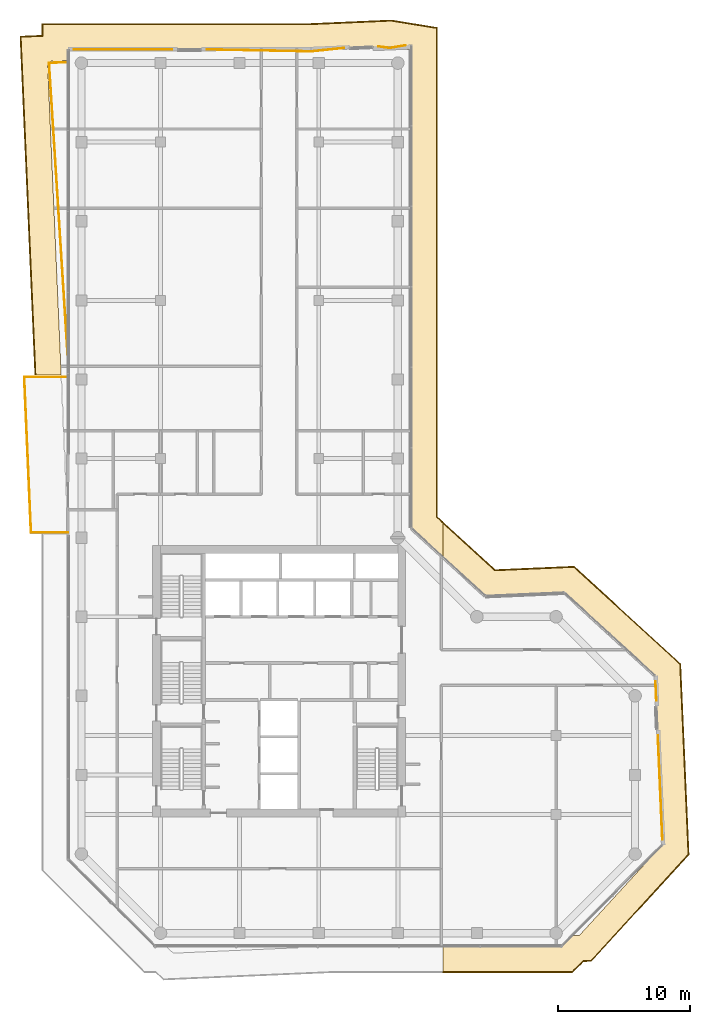
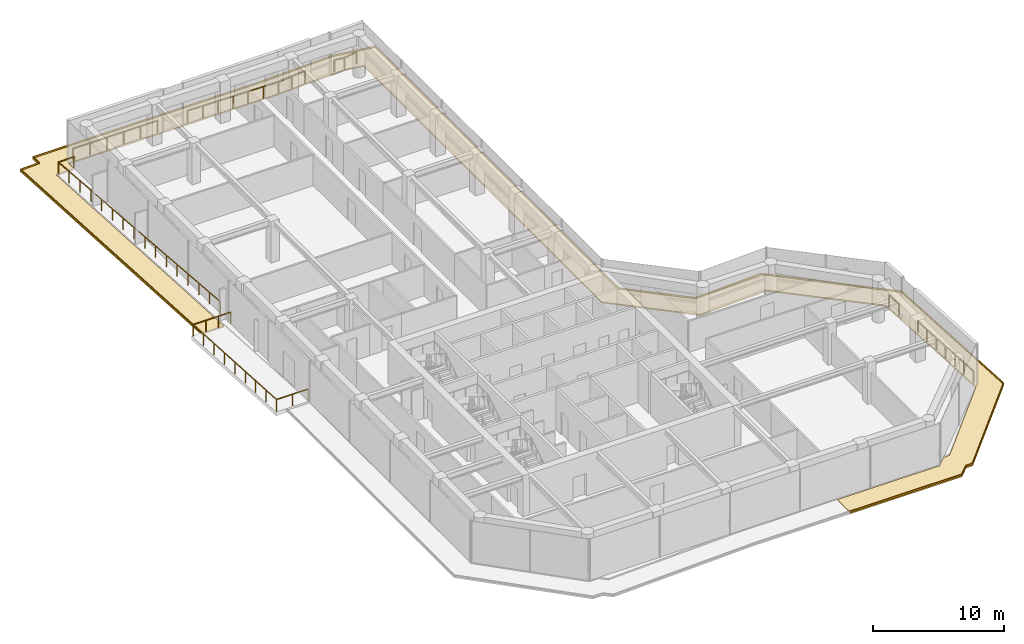
# One storey, part 21 of 21: 7 railings, 4 coverings.
"""IFC4 building model written with IfcOpenShell, lengths in metres."""

from ifc_helpers import new_model, si_unit, direction, frame, origin, origin_2d, place, context, subcontext, project, spatial, polyline, circle, outline, extrude, material, layer, layer_set, type_object, element, save


model = new_model("IFC4")

# Units and contexts
model_context = context("Model", 3, precision=1e-05, world=origin(), true_north=direction((0.0, 1.0)))
body_context = subcontext(model_context, "Body", "Model", "MODEL_VIEW")
ifc_project = project(units=[si_unit("LENGTHUNIT", "METRE"), si_unit("AREAUNIT", "SQUARE_METRE"), si_unit("VOLUMEUNIT", "CUBIC_METRE"), si_unit("PLANEANGLEUNIT", "RADIAN"), si_unit("MASSUNIT", "GRAM", prefix="KILO")], contexts=[model_context])

# Site, building, storey
site_placement = place(None, origin())
site = spatial("IfcSite", under=ifc_project, at=site_placement, CompositionType="ELEMENT")
building_placement = place(site_placement, origin())
building = spatial("IfcBuilding", under=site, at=building_placement, Name="Welwitschia Terrace Campus", CompositionType="ELEMENT")
storey_placement = place(building_placement, frame((0.0, 0.0, 180.199951171875)))
storey = spatial("IfcBuildingStorey", under=building, at=storey_placement, Name="L40", CompositionType="ELEMENT", Elevation=180.199951171875)

# Railings
ifc_material_1 = material(Name="Stainless steel grade 316", Category="steel")
railing_type = type_object("IfcRailingType", Name="Guard 1100", PredefinedType="GUARDRAIL", material=ifc_material_1)
railing_1_placement = place(storey_placement, frame((-1.030029296875, 26.392822265625, 0.0)))
element("IfcRailing", 1, at=railing_1_placement, inside=storey, type_object=railing_type, Name="Guard terrace L40:0:0.0", PredefinedType="GUARDRAIL", context=body_context, shape_type="SweptSolid", body=[
    extrude(circle(Radius=0.02392578125, at=origin_2d()), frame((0.0, 0.0, 1.076171875), z_axis=(-1.0, 0.0, 0.0), x_axis=(0.0, -1.0, 0.0)), (0.0, 0.0, 1.0), 2.78857421875),
    extrude(circle(Radius=0.02392578125, at=origin_2d()), frame((-2.78857421875, 0.0, 1.076171875), z_axis=(-0.043613933543, 0.999048459686, 0.0), x_axis=(-0.999048459686, -0.043613933543, 0.0)), (0.0, 0.0, 1.0), 11.811279296875),
    extrude(circle(Radius=0.02392578125, at=origin_2d()), frame((-3.3037109375, 11.800048828125, 1.076171875), z_axis=(1.0, 0.0, 0.0), x_axis=(0.0, 1.0, 0.0)), (0.0, 0.0, 1.0), 3.3037109375),
    extrude(circle(Radius=0.02099609375, at=origin_2d()), origin(), (0.0, 0.0, 1.0), 1.052001953125),
    extrude(circle(Radius=0.02099609375, at=origin_2d()), frame((-1.394287109375, 0.0, 0.0)), (0.0, 0.0, 1.0), 1.052001953125),
    extrude(circle(Radius=0.02099609375, at=origin_2d()), frame((-2.78857421875, 0.0, 0.0)), (0.0, 0.0, 1.0), 1.052001953125),
    extrude(circle(Radius=0.02099609375, at=origin_2d()), frame((-2.85302734375, 1.47509765625, 0.0)), (0.0, 0.0, 1.0), 1.052001953125),
    extrude(circle(Radius=0.02099609375, at=origin_2d()), frame((-2.91748046875, 2.949951171875, 0.0)), (0.0, 0.0, 1.0), 1.052001953125),
    extrude(circle(Radius=0.02099609375, at=origin_2d()), frame((-2.981689453125, 4.425048828125, 0.0)), (0.0, 0.0, 1.0), 1.052001953125),
    extrude(circle(Radius=0.02099609375, at=origin_2d()), frame((-3.046142578125, 5.89990234375, 0.0)), (0.0, 0.0, 1.0), 1.052001953125),
    extrude(circle(Radius=0.02099609375, at=origin_2d()), frame((-3.110595703125, 7.375, 0.0)), (0.0, 0.0, 1.0), 1.052001953125),
    extrude(circle(Radius=0.02099609375, at=origin_2d()), frame((-3.1748046875, 8.85009765625, 0.0)), (0.0, 0.0, 1.0), 1.052001953125),
    extrude(circle(Radius=0.02099609375, at=origin_2d()), frame((-3.2392578125, 10.324951171875, 0.0)), (0.0, 0.0, 1.0), 1.052001953125),
    extrude(circle(Radius=0.02099609375, at=origin_2d()), frame((-3.3037109375, 11.800048828125, 0.0)), (0.0, 0.0, 1.0), 1.052001953125),
    extrude(circle(Radius=0.02099609375, at=origin_2d()), frame((-2.202392578125, 11.800048828125, 0.0)), (0.0, 0.0, 1.0), 1.052001953125),
    extrude(circle(Radius=0.02099609375, at=origin_2d()), frame((-1.101318359375, 11.800048828125, 0.0)), (0.0, 0.0, 1.0), 1.052001953125),
    extrude(circle(Radius=0.02099609375, at=origin_2d()), frame((0.0, 11.800048828125, 0.0)), (0.0, 0.0, 1.0), 1.052001953125),
])
railing_2_placement = place(storey_placement, frame((-1.030029296875, 39.77490234375, 0.0)))
element("IfcRailing", 2, at=railing_2_placement, inside=storey, type_object=railing_type, Name="Guard floor edge L40.0", PredefinedType="GUARDRAIL", context=body_context, shape_type="SweptSolid", body=[
    extrude(circle(Radius=0.02392578125, at=origin_2d()), frame((0.0, 0.0, 1.076171875), z_axis=(-0.063766322322, 0.997964857166, 0.0), x_axis=(-0.997964857166, -0.063766322322, 0.0)), (0.0, 0.0, 1.0), 22.282958984375),
    extrude(circle(Radius=0.02392578125, at=origin_2d()), frame((-1.4208984375, 22.237548828125, 1.076171875), z_axis=(0.999558502186, 0.02971196235, 0.0), x_axis=(-0.02971196235, 0.999558502186, 0.0)), (0.0, 0.0, 1.0), 1.421630859375),
    extrude(circle(Radius=0.02099609375, at=origin_2d()), origin(), (0.0, 0.0, 1.0), 1.052001953125),
    extrude(circle(Radius=0.02099609375, at=origin_2d()), frame((-0.0947265625, 1.482421875, 0.0)), (0.0, 0.0, 1.0), 1.052001953125),
    extrude(circle(Radius=0.02099609375, at=origin_2d()), frame((-0.189453125, 2.965087890625, 0.0)), (0.0, 0.0, 1.0), 1.052001953125),
    extrude(circle(Radius=0.02099609375, at=origin_2d()), frame((-0.2841796875, 4.447509765625, 0.0)), (0.0, 0.0, 1.0), 1.052001953125),
    extrude(circle(Radius=0.02099609375, at=origin_2d()), frame((-0.37890625, 5.929931640625, 0.0)), (0.0, 0.0, 1.0), 1.052001953125),
    extrude(circle(Radius=0.02099609375, at=origin_2d()), frame((-0.4736328125, 7.41259765625, 0.0)), (0.0, 0.0, 1.0), 1.052001953125),
    extrude(circle(Radius=0.02099609375, at=origin_2d()), frame((-0.568359375, 8.89501953125, 0.0)), (0.0, 0.0, 1.0), 1.052001953125),
    extrude(circle(Radius=0.02099609375, at=origin_2d()), frame((-0.6630859375, 10.37744140625, 0.0)), (0.0, 0.0, 1.0), 1.052001953125),
    extrude(circle(Radius=0.02099609375, at=origin_2d()), frame((-0.7578125, 11.860107421875, 0.0)), (0.0, 0.0, 1.0), 1.052001953125),
    extrude(circle(Radius=0.02099609375, at=origin_2d()), frame((-0.8525390625, 13.342529296875, 0.0)), (0.0, 0.0, 1.0), 1.052001953125),
    extrude(circle(Radius=0.02099609375, at=origin_2d()), frame((-0.947265625, 14.824951171875, 0.0)), (0.0, 0.0, 1.0), 1.052001953125),
    extrude(circle(Radius=0.02099609375, at=origin_2d()), frame((-1.0419921875, 16.3076171875, 0.0)), (0.0, 0.0, 1.0), 1.052001953125),
    extrude(circle(Radius=0.02099609375, at=origin_2d()), frame((-1.13671875, 17.7900390625, 0.0)), (0.0, 0.0, 1.0), 1.052001953125),
    extrude(circle(Radius=0.02099609375, at=origin_2d()), frame((-1.2314453125, 19.2724609375, 0.0)), (0.0, 0.0, 1.0), 1.052001953125),
    extrude(circle(Radius=0.02099609375, at=origin_2d()), frame((-1.326171875, 20.755126953125, 0.0)), (0.0, 0.0, 1.0), 1.052001953125),
    extrude(circle(Radius=0.02099609375, at=origin_2d()), frame((-1.4208984375, 22.237548828125, 0.0)), (0.0, 0.0, 1.0), 1.052001953125),
    extrude(circle(Radius=0.02099609375, at=origin_2d()), frame((0.0, 22.27978515625, 0.0)), (0.0, 0.0, 1.0), 1.052001953125),
])
railing_3_placement = place(storey_placement, frame((-0.580078125, 63.030029296875, 0.0)))
element("IfcRailing", 3, at=railing_3_placement, inside=storey, type_object=railing_type, Name="Guard floor edge L40.1", PredefinedType="GUARDRAIL", context=body_context, shape_type="SweptSolid", body=[
    extrude(circle(Radius=0.02392578125, at=origin_2d()), frame((0.0, 0.0, 1.076171875), z_axis=(1.0, 0.0, 0.0), x_axis=(0.0, 1.0, 0.0)), (0.0, 0.0, 1.0), 7.449462890625),
    extrude(circle(Radius=0.02099609375, at=origin_2d()), origin(), (0.0, 0.0, 1.0), 1.052001953125),
    extrude(circle(Radius=0.02099609375, at=origin_2d()), frame((1.489990234375, 0.0, 0.0)), (0.0, 0.0, 1.0), 1.052001953125),
    extrude(circle(Radius=0.02099609375, at=origin_2d()), frame((2.979736328125, 0.0, 0.0)), (0.0, 0.0, 1.0), 1.052001953125),
    extrude(circle(Radius=0.02099609375, at=origin_2d()), frame((4.4697265625, 0.0, 0.0)), (0.0, 0.0, 1.0), 1.052001953125),
    extrude(circle(Radius=0.02099609375, at=origin_2d()), frame((5.95947265625, 0.0, 0.0)), (0.0, 0.0, 1.0), 1.052001953125),
    extrude(circle(Radius=0.02099609375, at=origin_2d()), frame((7.449462890625, 0.0, 0.0)), (0.0, 0.0, 1.0), 1.052001953125),
])
railing_4_placement = place(storey_placement, frame((9.5166015625, 63.030029296875, 0.0)))
element("IfcRailing", 4, at=railing_4_placement, inside=storey, type_object=railing_type, Name="Guard floor edge L40.2", PredefinedType="GUARDRAIL", context=body_context, shape_type="SweptSolid", body=[
    extrude(circle(Radius=0.02392578125, at=origin_2d()), frame((0.0, 0.0, 1.076171875), z_axis=(0.999819555309, -0.018996231781, 0.0), x_axis=(0.018996231781, 0.999819555309, 0.0)), (0.0, 0.0, 1.0), 7.904052734375),
    extrude(circle(Radius=0.02392578125, at=origin_2d()), frame((7.902587890625, -0.150146484375, 1.076171875), z_axis=(0.994614836538, 0.103640373108, 0.0), x_axis=(-0.103640373108, 0.994614836538, 0.0)), (0.0, 0.0, 1.0), 2.49462890625),
    extrude(circle(Radius=0.02099609375, at=origin_2d()), origin(), (0.0, 0.0, 1.0), 1.052001953125),
    extrude(circle(Radius=0.02099609375, at=origin_2d()), frame((1.317138671875, -0.02490234375, 0.0)), (0.0, 0.0, 1.0), 1.052001953125),
    extrude(circle(Radius=0.02099609375, at=origin_2d()), frame((2.63427734375, -0.050048828125, 0.0)), (0.0, 0.0, 1.0), 1.052001953125),
    extrude(circle(Radius=0.02099609375, at=origin_2d()), frame((3.951171875, -0.0751953125, 0.0)), (0.0, 0.0, 1.0), 1.052001953125),
    extrude(circle(Radius=0.02099609375, at=origin_2d()), frame((5.268310546875, -0.10009765625, 0.0)), (0.0, 0.0, 1.0), 1.052001953125),
    extrude(circle(Radius=0.02099609375, at=origin_2d()), frame((6.58544921875, -0.125, 0.0)), (0.0, 0.0, 1.0), 1.052001953125),
    extrude(circle(Radius=0.02099609375, at=origin_2d()), frame((7.902587890625, -0.150146484375, 0.0)), (0.0, 0.0, 1.0), 1.052001953125),
    extrude(circle(Radius=0.02099609375, at=origin_2d()), frame((9.14306640625, -0.02099609375, 0.0)), (0.0, 0.0, 1.0), 1.052001953125),
    extrude(circle(Radius=0.02099609375, at=origin_2d()), frame((10.3837890625, 0.1083984375, 0.0)), (0.0, 0.0, 1.0), 1.052001953125),
])
railing_5_placement = place(storey_placement, frame((22.54541015625, 63.25390625, 0.0)))
element("IfcRailing", 5, at=railing_5_placement, inside=storey, type_object=railing_type, Name="Guard floor edge L40.3", PredefinedType="GUARDRAIL", context=body_context, shape_type="SweptSolid", body=[
    extrude(circle(Radius=0.02392578125, at=origin_2d()), frame((0.0, 0.0, 1.076171875), z_axis=(0.991205420577, -0.132332211571, 0.0), x_axis=(0.132332211571, 0.991205420577, 0.0)), (0.0, 0.0, 1.0), 0.854248046875),
    extrude(circle(Radius=0.02392578125, at=origin_2d()), frame((0.8466796875, -0.113037109375, 1.076171875), z_axis=(0.985553715648, 0.169363141125, 0.0), x_axis=(-0.169363141125, 0.985553715648, 0.0)), (0.0, 0.0, 1.0), 1.187744140625),
    extrude(circle(Radius=0.02099609375, at=origin_2d()), origin(), (0.0, 0.0, 1.0), 1.052001953125),
    extrude(circle(Radius=0.02099609375, at=origin_2d()), frame((0.8466796875, -0.113037109375, 0.0)), (0.0, 0.0, 1.0), 1.052001953125),
    extrude(circle(Radius=0.02099609375, at=origin_2d()), frame((2.017333984375, 0.088134765625, 0.0)), (0.0, 0.0, 1.0), 1.052001953125),
])
railing_6_placement = place(storey_placement, frame((43.54931640625, 15.09716796875, 0.0)))
element("IfcRailing", 6, at=railing_6_placement, inside=storey, type_object=railing_type, Name="Guard floor edge L40.4", PredefinedType="GUARDRAIL", context=body_context, shape_type="SweptSolid", body=[
    extrude(circle(Radius=0.02392578125, at=origin_2d()), frame((0.0, 0.0, 1.076171875), z_axis=(0.043639613643, -0.999047338278, 0.0), x_axis=(0.999047338278, 0.043639613643, 0.0)), (0.0, 0.0, 1.0), 1.4658203125),
    extrude(circle(Radius=0.02099609375, at=origin_2d()), origin(), (0.0, 0.0, 1.0), 1.052001953125),
    extrude(circle(Radius=0.02099609375, at=origin_2d()), frame((0.06396484375, -1.46435546875, 0.0)), (0.0, 0.0, 1.0), 1.052001953125),
])
railing_7_placement = place(storey_placement, frame((43.728759765625, 10.98779296875, 0.0)))
element("IfcRailing", 7, at=railing_7_placement, inside=storey, type_object=railing_type, Name="Guard floor edge L40.5", PredefinedType="GUARDRAIL", context=body_context, shape_type="SweptSolid", body=[
    extrude(circle(Radius=0.02392578125, at=origin_2d()), frame((0.0, 0.0, 1.076171875), z_axis=(0.043617108395, -0.999048321081, 0.0), x_axis=(0.999048321081, 0.043617108395, 0.0)), (0.0, 0.0, 1.0), 7.892333984375),
    extrude(circle(Radius=0.02099609375, at=origin_2d()), origin(), (0.0, 0.0, 1.0), 1.052001953125),
    extrude(circle(Radius=0.02099609375, at=origin_2d()), frame((0.057373046875, -1.314208984375, 0.0)), (0.0, 0.0, 1.0), 1.052001953125),
    extrude(circle(Radius=0.02099609375, at=origin_2d()), frame((0.11474609375, -2.628173828125, 0.0)), (0.0, 0.0, 1.0), 1.052001953125),
    extrude(circle(Radius=0.02099609375, at=origin_2d()), frame((0.172119140625, -3.9423828125, 0.0)), (0.0, 0.0, 1.0), 1.052001953125),
    extrude(circle(Radius=0.02099609375, at=origin_2d()), frame((0.2294921875, -5.256591796875, 0.0)), (0.0, 0.0, 1.0), 1.052001953125),
    extrude(circle(Radius=0.02099609375, at=origin_2d()), frame((0.286865234375, -6.570556640625, 0.0)), (0.0, 0.0, 1.0), 1.052001953125),
    extrude(circle(Radius=0.02099609375, at=origin_2d()), frame((0.34423828125, -7.884765625, 0.0)), (0.0, 0.0, 1.0), 1.052001953125),
])

# Coverings
ifc_material_2 = material(Name="Bronze anodised aluminium", Category="aluminium")
ifc_layer_1 = layer(ifc_material_2, 0.1201171875)
ifc_layer_set_1 = layer_set([ifc_layer_1], Name="Bronze anodised aluminium")
covering_type_1 = type_object("IfcCoveringType", Name="Sunshade band 2000", PredefinedType="USERDEFINED", material=ifc_layer_set_1)
covering_1_placement = place(storey_placement, frame((0.0, 0.0, -0.25)))
element("IfcCovering", 8, at=covering_1_placement, inside=storey, type_object=covering_type_1, Name="SUNSHADE L40.SW0", ObjectType="SUNSHADE", PredefinedType="USERDEFINED", context=body_context, shape_type="SweptSolid", body=[
    extrude(outline(polyline([(17.372802734375, 65.0), (23.517822265625, 65.268310546875), (27.0, 64.7001953125), (27.0, 27.585693359375), (27.424072265625, 27.197265625), (27.424072265625, 24.484619140625), (25.0, 26.705810546875), (25.0, 63.0), (23.399169921875, 63.26123046875), (17.41650390625, 63.0), (-1.0, 63.0), (-1.0, 62.19580078125), (-2.575927734375, 62.127197265625), (-1.53759765625, 38.343017578125), (-3.53955078125, 38.343017578125), (-4.661376953125, 64.0380859375), (-3.0, 64.110595703125), (-3.0, 65.0), (17.372802734375, 65.0)])), origin(), (0.0, 0.0, 1.0), 0.1201171875),
])
covering_2_placement = place(storey_placement, frame((0.0, 0.0, -0.25)))
element("IfcCovering", 9, at=covering_2_placement, inside=storey, type_object=covering_type_1, Name="SUNSHADE L40.SE0", ObjectType="SUNSHADE", PredefinedType="USERDEFINED", context=body_context, shape_type="SweptSolid", body=[
    extrude(outline(polyline([(31.380615234375, 23.571533203125), (37.375, 23.833251953125), (45.46337890625, 16.421630859375), (46.09521484375, 1.9501953125), (38.68359375, -6.13818359375), (38.078125, -6.16455078125), (37.24267578125, -7.0), (27.424072265625, -7.0), (27.424072265625, -5.0), (36.414306640625, -5.0), (37.2138671875, -4.200439453125), (37.768798828125, -4.17626953125), (44.060791015625, 2.690673828125), (43.50146484375, 15.5068359375), (36.634521484375, 21.799072265625), (30.640380859375, 21.537353515625), (27.424072265625, 24.484619140625), (27.424072265625, 27.197265625), (31.380615234375, 23.571533203125)])), origin(), (0.0, 0.0, 1.0), 0.1201171875),
])
ifc_material_3 = material(Name="Bronze anodised aluminium", Category="aluminium")
ifc_layer_2 = layer(ifc_material_3, 0.06005859375)
ifc_layer_set_2 = layer_set([ifc_layer_2], Name="Bronze anodised aluminium")
covering_type_2 = type_object("IfcCoveringType", Name="Sunshade lip 60", PredefinedType="USERDEFINED", material=ifc_layer_set_2)
covering_3_placement = place(storey_placement, frame((0.0, 0.0, -0.1298828125)))
element("IfcCovering", 10, at=covering_3_placement, inside=storey, type_object=covering_type_2, Name="SUNSHADE LIP L40.SW0.0", ObjectType="SUNSHADE", PredefinedType="USERDEFINED", context=body_context, shape_type="SweptSolid", body=[
    extrude(outline(polyline([(23.517822265625, 65.268310546875), (27.0, 64.7001953125), (27.0, 27.585693359375), (27.424072265625, 27.197265625), (27.424072265625, 27.115966796875), (26.93994140625, 27.559326171875), (26.93994140625, 64.649169921875), (23.514404296875, 65.2080078125), (17.374267578125, 64.93994140625), (-2.93994140625, 64.93994140625), (-2.93994140625, 64.052978515625), (-4.598876953125, 63.980712890625), (-3.4794921875, 38.343017578125), (-3.53955078125, 38.343017578125), (-4.661376953125, 64.0380859375), (-3.0, 64.110595703125), (-3.0, 65.0), (17.372802734375, 65.0), (23.517822265625, 65.268310546875)])), origin(), (0.0, 0.0, 1.0), 0.1298828125),
])
covering_4_placement = place(storey_placement, frame((0.0, 0.0, -0.1298828125)))
element("IfcCovering", 11, at=covering_4_placement, inside=storey, type_object=covering_type_2, Name="SUNSHADE LIP L40.SE0.0", ObjectType="SUNSHADE", PredefinedType="USERDEFINED", context=body_context, shape_type="SweptSolid", body=[
    extrude(outline(polyline([(37.375, 23.833251953125), (45.46337890625, 16.421630859375), (46.09521484375, 1.9501953125), (38.68359375, -6.13818359375), (38.078125, -6.16455078125), (37.24267578125, -7.0), (27.424072265625, -7.0), (27.424072265625, -6.93994140625), (37.2177734375, -6.93994140625), (38.052001953125, -6.105712890625), (38.656005859375, -6.079345703125), (46.0341796875, 1.972412109375), (45.404541015625, 16.394287109375), (37.352783203125, 23.772216796875), (31.3583984375, 23.510498046875), (27.424072265625, 27.115966796875), (27.424072265625, 27.197265625), (31.380615234375, 23.571533203125), (37.375, 23.833251953125)])), origin(), (0.0, 0.0, 1.0), 0.1298828125),
])

save(model, "model.ifc")
